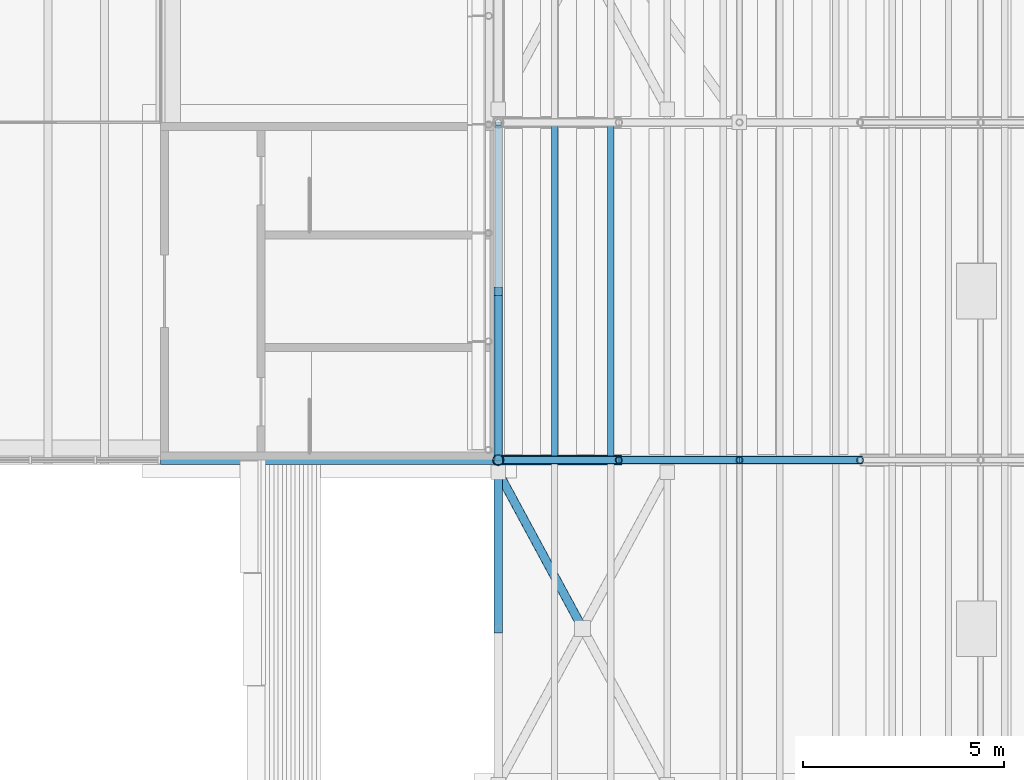
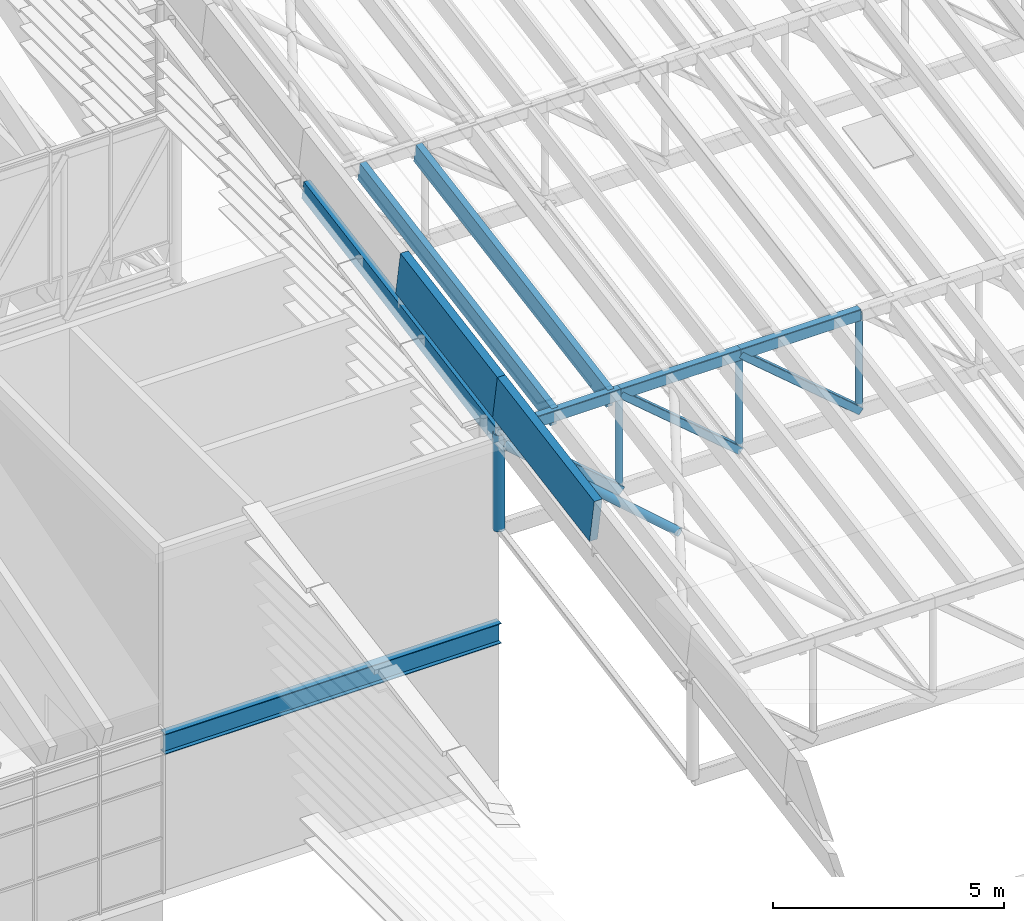
# One storey, part 13 of 91: 14 members, 3 beams.
"""IFC4 building model written with IfcOpenShell, lengths in metres."""

from ifc_helpers import new_model, si_unit, direction, frame, origin, origin_2d, place, context, subcontext, project, spatial, rectangle, hollow_rectangle, hollow_circle, i_section, extrude, material, material_profile, profile_set, type_object, element, save


model = new_model("IFC4")

# Units and contexts
model_context = context("Model", 3, precision=1e-05, world=origin(), true_north=direction((0.0, 1.0)))
body_context = subcontext(model_context, "Body", "Model", "MODEL_VIEW")
ifc_project = project(units=[si_unit("LENGTHUNIT", "METRE"), si_unit("AREAUNIT", "SQUARE_METRE"), si_unit("VOLUMEUNIT", "CUBIC_METRE"), si_unit("PLANEANGLEUNIT", "RADIAN"), si_unit("MASSUNIT", "GRAM", prefix="KILO")], contexts=[model_context])

# Site, building, storey
site_placement = place(None, origin())
site = spatial("IfcSite", under=ifc_project, at=site_placement, CompositionType="ELEMENT")
building_placement = place(site_placement, origin())
building = spatial("IfcBuilding", under=site, at=building_placement, Name="Almond Square Museum", CompositionType="ELEMENT")
storey_placement = place(building_placement, frame((0.0, 0.0, 30.0)))
storey = spatial("IfcBuildingStorey", under=building, at=storey_placement, Name="L05", CompositionType="ELEMENT", Elevation=30.0)

# Beam
ifc_material_1 = material(Name="Structural steel S355", Category="steel")
ifc_material_profile_1 = material_profile(ifc_material_1, i_section(OverallWidth=0.208984375, OverallDepth=0.532958984375, WebThickness=0.01025390625, FlangeThickness=0.015625, at=origin_2d()))
ifc_profile_set_1 = profile_set([ifc_material_profile_1], Name="Structural steel S355")
beam_type_1 = type_object("IfcBeamType", Name="Eave beam W530x92", PredefinedType="BEAM", material=ifc_profile_set_1)
beam_1_placement = place(storey_placement, frame((98.39990234375, 67.199951171875, 3.93701171875), z_axis=(1.0, 0.0, 0.0), x_axis=(0.0, 1.0, 0.0)))
element("IfcBeam", 1, at=beam_1_placement, inside=storey, type_object=beam_type_1, Name="Atrium south eave beam", PredefinedType="BEAM", context=body_context, shape_type="SweptSolid", body=[
    extrude(i_section(OverallWidth=0.208984375, OverallDepth=0.532958984375, WebThickness=0.01025390625, FlangeThickness=0.015625, at=origin_2d()), origin(), (0.0, 0.0, 1.0), 8.400146484375),
])

# Members
ifc_material_2 = material(Name="Glulam GL28h", Category="wood")
ifc_material_profile_2 = material_profile(ifc_material_2, rectangle(XDim=0.159912109375, YDim=0.5, at=origin_2d()))
ifc_profile_set_2 = profile_set([ifc_material_profile_2], Name="Glulam GL28h")
member_type_1 = type_object("IfcMemberType", Name="Glulam rafter GL28h 160x500", PredefinedType="RAFTER", material=ifc_profile_set_2)
for number, where, z_axis, x_axis, name in (
    (2, (106.800048828125, 67.22998046875, 9.08984375), (0.0, 0.985030957185, 0.172377531562), (-1.0, 0.0, 0.0), "Hall rafter 3.1"),
    (3, (108.199951171875, 67.22998046875, 9.08984375), (0.0, 0.985030957185, 0.172377531562), (-1.0, 0.0, 0.0), "Hall rafter 3.2"),
    (4, (109.60009765625, 67.22998046875, 9.08984375), (0.0, 0.985030957185, 0.172377531562), (-1.0, 0.0, 0.0), "Hall rafter 3.3"),
):
    element("IfcMember", number, at=place(storey_placement, frame(where, z_axis=z_axis, x_axis=x_axis)), inside=storey, type_object=member_type_1, Name=name, PredefinedType="RAFTER", context=body_context, shape_type="SweptSolid", body=[
        extrude(rectangle(XDim=0.159912109375, YDim=0.5, at=origin_2d()), origin(), (0.0, 0.0, 1.0), 8.459716796875),
    ])

# Beams
ifc_material_3 = material(Name="Glulam GL28h", Category="wood")
ifc_material_profile_3 = material_profile(ifc_material_3, rectangle(XDim=0.199951171875, YDim=1.199951171875, at=origin_2d()))
ifc_profile_set_3 = profile_set([ifc_material_profile_3], Name="Glulam GL28h")
beam_type_2 = type_object("IfcBeamType", Name="Rake fascia beam GL28h 200x1200", PredefinedType="BEAM", material=ifc_profile_set_3)
beam_2_placement = place(storey_placement, frame((106.800048828125, 63.0, 9.405029296875), z_axis=(0.0, 0.98503557112, 0.172351163697), x_axis=(-1.0, 0.0, 0.0)))
element("IfcBeam", 5, at=beam_2_placement, inside=storey, type_object=beam_type_2, Name="Gable rake fascia W 4", PredefinedType="BEAM", context=body_context, shape_type="SweptSolid", body=[
    extrude(rectangle(XDim=0.199951171875, YDim=1.199951171875, at=origin_2d()), origin(), (0.0, 0.0, 1.0), 4.263671875),
])
beam_3_placement = place(storey_placement, frame((106.800048828125, 67.199951171875, 10.139892578125), z_axis=(0.0, 0.985025848584, 0.172406721507), x_axis=(-1.0, 0.0, 0.0)))
element("IfcBeam", 6, at=beam_3_placement, inside=storey, type_object=beam_type_2, Name="Gable rake fascia W 5", PredefinedType="BEAM", context=body_context, shape_type="SweptSolid", body=[
    extrude(rectangle(XDim=0.199951171875, YDim=1.199951171875, at=origin_2d()), origin(), (0.0, 0.0, 1.0), 4.263916015625),
])

# Members
ifc_material_4 = material(Name="Structural steel S355", Category="steel")
ifc_material_profile_4 = material_profile(ifc_material_4, hollow_circle(Radius=0.109619140625, WallThickness=0.010009765625, at=origin_2d()))
ifc_profile_set_4 = profile_set([ifc_material_profile_4], Name="Structural steel S355")
member_type_2 = type_object("IfcMemberType", Name="Roof brace CHS 219.1x10", PredefinedType="BRACE", material=ifc_profile_set_4)
member_1_placement = place(storey_placement, frame((108.89990234375, 63.014892578125, 8.352294921875), z_axis=(-0.469952995123, 0.869475876223, 0.152170572191), x_axis=(-0.87972088867, -0.47549043948, 0.0)))
element("IfcMember", 7, at=member_1_placement, inside=storey, type_object=member_type_2, Name="Hall roof plane brace 2", PredefinedType="BRACE", context=body_context, shape_type="SweptSolid", body=[
    extrude(hollow_circle(Radius=0.109619140625, WallThickness=0.010009765625, at=origin_2d()), origin(), (0.0, 0.0, 1.0), 4.46826171875),
])
ifc_material_5 = material(Name="Structural steel S355", Category="steel")
ifc_material_profile_5 = material_profile(ifc_material_5, hollow_rectangle(XDim=0.199951171875, YDim=0.300048828125, WallThickness=0.010009765625, InnerFilletRadius=0.014892578125, OuterFilletRadius=0.02490234375, at=origin_2d()))
ifc_profile_set_5 = profile_set([ifc_material_profile_5], Name="Structural steel S355")
member_type_3 = type_object("IfcMemberType", Name="Truss chord RHS 300x200x10", PredefinedType="CHORD", material=ifc_profile_set_5)
for number, where, z_axis, x_axis, name in (
    (8, (106.800048828125, 67.199951171875, 9.1884765625), (1.0, 0.0, 0.0), (0.0, 1.0, 0.0), "TR-03 top chord 1"),
    (9, (109.800048828125, 67.199951171875, 9.1884765625), (1.0, 0.0, 0.0), (0.0, 1.0, 0.0), "TR-03 top chord 2"),
    (10, (112.800048828125, 67.199951171875, 9.1884765625), (1.0, 0.0, 0.0), (0.0, 1.0, 0.0), "TR-03 top chord 3"),
):
    element("IfcMember", number, at=place(storey_placement, frame(where, z_axis=z_axis, x_axis=x_axis)), inside=storey, type_object=member_type_3, Name=name, PredefinedType="CHORD", context=body_context, shape_type="SweptSolid", body=[
        extrude(hollow_rectangle(XDim=0.199951171875, YDim=0.300048828125, WallThickness=0.010009765625, InnerFilletRadius=0.014892578125, OuterFilletRadius=0.02490234375, at=origin_2d()), origin(), (0.0, 0.0, 1.0), 3.0),
    ])
ifc_material_6 = material(Name="Structural steel S355", Category="steel")
ifc_material_profile_6 = material_profile(ifc_material_6, hollow_rectangle(XDim=0.199951171875, YDim=0.199951171875, WallThickness=0.010009765625, InnerFilletRadius=0.014892578125, OuterFilletRadius=0.02490234375, at=origin_2d()))
ifc_profile_set_6 = profile_set([ifc_material_profile_6], Name="Structural steel S355")
member_type_4 = type_object("IfcMemberType", Name="Truss diagonal SHS 200x200x10", PredefinedType="BRACE", material=ifc_profile_set_6)
for number, where, z_axis, x_axis, name in (
    (11, (109.800048828125, 67.199951171875, 9.1884765625), (0.762116801264, 0.0, -0.647439557975), (0.0, 1.0, 0.0), "TR-03 diagonal 2"),
    (12, (112.800048828125, 67.199951171875, 9.1884765625), (0.762116801264, 0.0, -0.647439557975), (0.0, 1.0, 0.0), "TR-03 diagonal 3"),
):
    element("IfcMember", number, at=place(storey_placement, frame(where, z_axis=z_axis, x_axis=x_axis)), inside=storey, type_object=member_type_4, Name=name, PredefinedType="BRACE", context=body_context, shape_type="SweptSolid", body=[
        extrude(hollow_rectangle(XDim=0.199951171875, YDim=0.199951171875, WallThickness=0.010009765625, InnerFilletRadius=0.014892578125, OuterFilletRadius=0.02490234375, at=origin_2d()), origin(), (0.0, 0.0, 1.0), 3.9365234375),
    ])
ifc_material_7 = material(Name="Structural steel S355", Category="steel")
ifc_material_profile_7 = material_profile(ifc_material_7, hollow_rectangle(XDim=0.25, YDim=0.25, WallThickness=0.012451171875, InnerFilletRadius=0.02490234375, OuterFilletRadius=0.03759765625, at=origin_2d()))
ifc_profile_set_7 = profile_set([ifc_material_profile_7], Name="Structural steel S355")
member_type_5 = type_object("IfcMemberType", Name="Truss diagonal SHS 250x250x12.5", PredefinedType="BRACE", material=ifc_profile_set_7)
member_2_placement = place(storey_placement, frame((106.800048828125, 67.199951171875, 9.1884765625), z_axis=(0.762116801264, 0.0, -0.647439557975), x_axis=(0.0, 1.0, 0.0)))
element("IfcMember", 13, at=member_2_placement, inside=storey, type_object=member_type_5, Name="TR-03 diagonal 1", PredefinedType="BRACE", context=body_context, shape_type="SweptSolid", body=[
    extrude(hollow_rectangle(XDim=0.25, YDim=0.25, WallThickness=0.012451171875, InnerFilletRadius=0.02490234375, OuterFilletRadius=0.03759765625, at=origin_2d()), origin(), (0.0, 0.0, 1.0), 3.9365234375),
])
ifc_material_8 = material(Name="Structural steel S355", Category="steel")
ifc_material_profile_8 = material_profile(ifc_material_8, hollow_circle(Radius=0.084228515625, WallThickness=0.008056640625, at=origin_2d()))
ifc_profile_set_8 = profile_set([ifc_material_profile_8], Name="Structural steel S355")
member_type_6 = type_object("IfcMemberType", Name="Truss post CHS 168.3x8", PredefinedType="POST", material=ifc_profile_set_8)
for number, where, z_axis, x_axis, name in (
    (14, (109.800048828125, 67.199951171875, 6.639892578125), (0.0, 0.0, 1.0), (1.0, 0.0, 0.0), "TR-03 post 2"),
    (15, (112.800048828125, 67.199951171875, 6.639892578125), (0.0, 0.0, 1.0), (1.0, 0.0, 0.0), "TR-03 post 3"),
    (16, (115.800048828125, 67.199951171875, 6.639892578125), (0.0, 0.0, 1.0), (1.0, 0.0, 0.0), "TR-03 post 4"),
):
    element("IfcMember", number, at=place(storey_placement, frame(where, z_axis=z_axis, x_axis=x_axis)), inside=storey, type_object=member_type_6, Name=name, PredefinedType="POST", context=body_context, shape_type="SweptSolid", body=[
        extrude(hollow_circle(Radius=0.084228515625, WallThickness=0.008056640625, at=origin_2d()), origin(), (0.0, 0.0, 1.0), 2.548583984375),
    ])
ifc_material_9 = material(Name="Structural steel S355", Category="steel")
ifc_material_profile_9 = material_profile(ifc_material_9, hollow_circle(Radius=0.136474609375, WallThickness=0.012451171875, at=origin_2d()))
ifc_profile_set_9 = profile_set([ifc_material_profile_9], Name="Structural steel S355")
member_type_7 = type_object("IfcMemberType", Name="Truss post CHS 273x12.5", PredefinedType="POST", material=ifc_profile_set_9)
member_3_placement = place(storey_placement, frame((106.800048828125, 67.199951171875, 6.639892578125), z_axis=(0.0, 0.0, 1.0), x_axis=(1.0, 0.0, 0.0)))
element("IfcMember", 17, at=member_3_placement, inside=storey, type_object=member_type_7, Name="TR-03 post 1", PredefinedType="POST", context=body_context, shape_type="SweptSolid", body=[
    extrude(hollow_circle(Radius=0.136474609375, WallThickness=0.012451171875, at=origin_2d()), origin(), (0.0, 0.0, 1.0), 2.548583984375),
])

save(model, "model.ifc")
